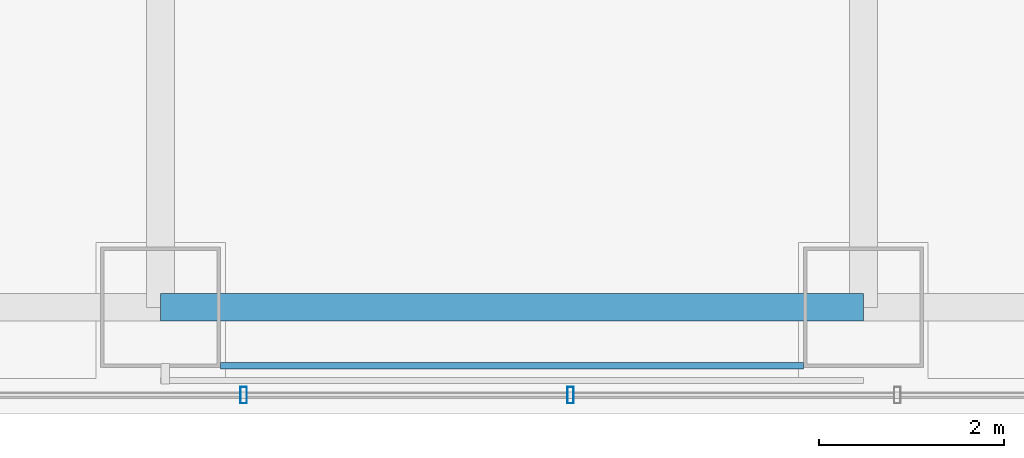
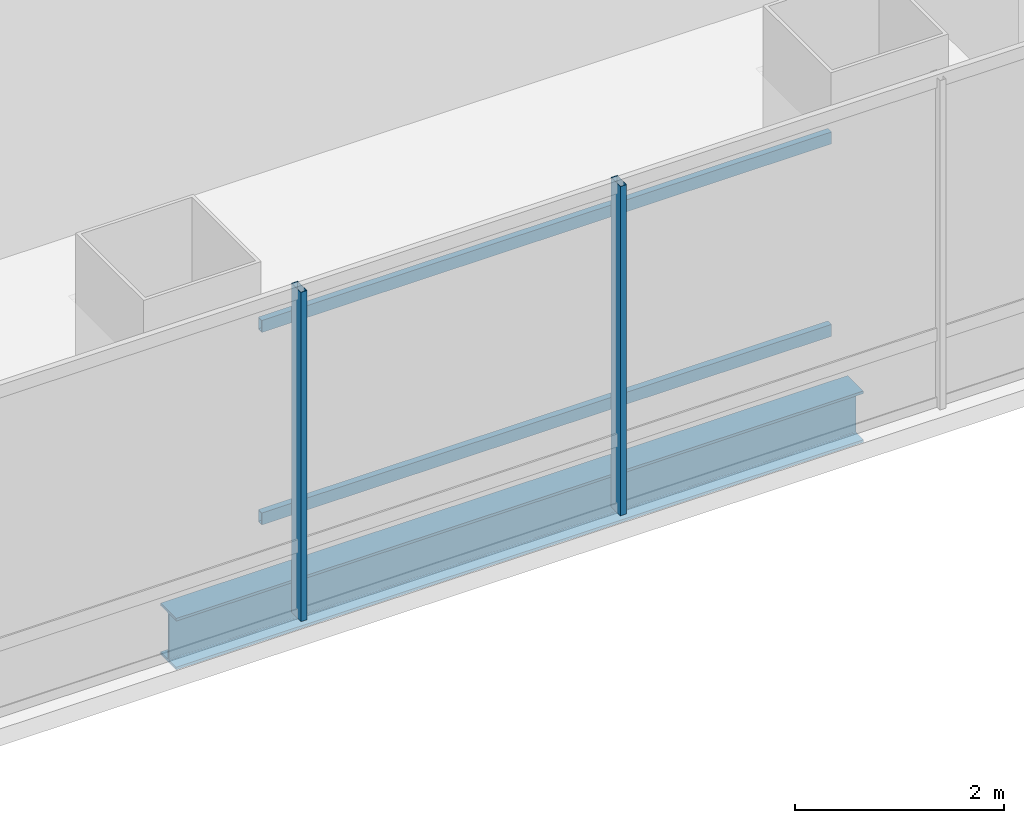
# One storey, part 6 of 42: 4 members, 1 beam, 1 element without a shape of its own.
"""IFC4 building model written with IfcOpenShell, lengths in metres."""

import ifcopenshell
import ifcopenshell.guid

model = None  # the IFC model being written
_history = None  # IfcOwnerHistory: only IFC2X3 demands one
_inside = {}  # id of a spatial element -> (the spatial element, [elements in it])
_under = {}  # id of a project, library or spatial element -> (it, [spatial elements below it])
_declared = {}  # id of a project -> (the project, [libraries it declares])
_typed = {}  # id of a type object -> (the type object, [elements of that type])
_made_of = {}  # id of a material, layer set ... -> (it, [elements and type objects made of it])


def new_model(schema):
    """Start an empty IFC model of exactly this schema.

    Asked for "IFC4X3", IfcOpenShell would pick the latest addendum, in which some entities
    have other attributes; the version numbers below select the first issue.
    IFC2X3 requires an IfcOwnerHistory on every rooted entity: one is made here for all.
    """
    global model, _history
    if schema == "IFC4X3":
        model = ifcopenshell.file(schema_version=(4, 3, 0, 0))
    else:
        model = ifcopenshell.file(schema=schema)
    _inside.clear()
    _under.clear()
    _declared.clear()
    _typed.clear()
    _made_of.clear()
    _history = None
    if model.schema == "IFC2X3":
        org = make("IfcOrganization", Name="unknown")
        user = make(
            "IfcPersonAndOrganization",
            ThePerson=make("IfcPerson", FamilyName="unknown"),
            TheOrganization=org,
        )
        app = make(
            "IfcApplication",
            ApplicationDeveloper=org,
            Version="unknown",
            ApplicationFullName="unknown",
            ApplicationIdentifier="unknown",
        )
        _history = make(
            "IfcOwnerHistory",
            OwningUser=user,
            OwningApplication=app,
            ChangeAction="ADDED",
            CreationDate=0,
        )
    return model


def make(cls, **values):
    """One entity of the class cls with the attributes given. An attribute that is None is left unset."""
    return model.create_entity(
        cls, **{name: value for name, value in values.items() if value is not None}
    )


def rooted(cls, **values):
    """An entity with a GlobalId (a new one), such as an element, a storey or a relation."""
    return make(cls, GlobalId=ifcopenshell.guid.new(), OwnerHistory=_history, **values)


def si_unit(unit_type, name, prefix=None):
    """IfcSIUnit, for example si_unit("LENGTHUNIT", "METRE", prefix="MILLI")."""
    return make("IfcSIUnit", UnitType=unit_type, Prefix=prefix, Name=name)


def assignment(units):
    """IfcUnitAssignment: the units of a project."""
    return None if units is None else make("IfcUnitAssignment", Units=units)


def point(xyz):
    """IfcCartesianPoint."""
    return None if xyz is None else make("IfcCartesianPoint", Coordinates=xyz)


def direction(xyz):
    """IfcDirection."""
    return None if xyz is None else make("IfcDirection", DirectionRatios=xyz)


def frame(location, z_axis=None, x_axis=None):
    """IfcAxis2Placement3D, a coordinate frame: its origin and axes. An axis left out is left unset."""
    return make(
        "IfcAxis2Placement3D",
        Location=point(location),
        Axis=direction(z_axis),
        RefDirection=direction(x_axis),
    )


def frame_2d(location, x_axis=None):
    """IfcAxis2Placement2D, a coordinate frame in the plane: its origin and x axis."""
    return make(
        "IfcAxis2Placement2D", Location=point(location), RefDirection=direction(x_axis)
    )


def origin():
    """The frame at (0, 0, 0) with its axes left unset."""
    return frame((0.0, 0.0, 0.0))


def origin_2d():
    """The frame at (0, 0) in the plane with its x axis left unset."""
    return frame_2d((0.0, 0.0))


def place(relative_to, where):
    """IfcLocalPlacement: puts the frame where relative to a parent placement (None: the world)."""
    return make(
        "IfcLocalPlacement", PlacementRelTo=relative_to, RelativePlacement=where
    )


def context(
    kind, dimensions, precision=None, world=None, true_north=None, identifier=None
):
    """IfcGeometricRepresentationContext, for example the 3D "Model" context."""
    return make(
        "IfcGeometricRepresentationContext",
        ContextIdentifier=identifier,
        ContextType=kind,
        CoordinateSpaceDimension=dimensions,
        Precision=precision,
        WorldCoordinateSystem=world,
        TrueNorth=true_north,
    )


def subcontext(parent, identifier, kind, view, scale=None):
    """IfcGeometricRepresentationSubContext, for example "Body" below "Model"."""
    return make(
        "IfcGeometricRepresentationSubContext",
        ContextIdentifier=identifier,
        ContextType=kind,
        ParentContext=parent,
        TargetScale=scale,
        TargetView=view,
    )


def project(units=None, contexts=None):
    """IfcProject with its units and contexts."""
    return rooted(
        "IfcProject",
        Name="project",
        RepresentationContexts=contexts,
        UnitsInContext=assignment(units),
    )


def spatial(cls, under=None, at=None, **own):
    """A site, building, storey or space (cls), placed at a placement, below another one or the project."""
    s = rooted(cls, ObjectPlacement=at, **own)
    if under is not None:
        _under.setdefault(under.id(), (under, []))[1].append(s)
    return s


def profile(cls, at=None, kind="AREA", **sizes):
    """A parametric profile (cls). Its sizes go by their IFC names, for example OverallWidth=200.0."""
    return make(cls, ProfileType=kind, Position=at, **sizes)


def hollow_rectangle(**sizes):
    """IfcRectangleHollowProfileDef."""
    return profile("IfcRectangleHollowProfileDef", **sizes)


def i_section(**sizes):
    """IfcIShapeProfileDef."""
    return profile("IfcIShapeProfileDef", **sizes)


def extrude(swept, where, along, depth):
    """IfcExtrudedAreaSolid: the profile swept, set in the frame where, extruded along a direction by depth."""
    return make(
        "IfcExtrudedAreaSolid",
        SweptArea=swept,
        Position=where,
        ExtrudedDirection=direction(along),
        Depth=depth,
    )


def shape(context_of_items, identifier, shape_type, items):
    """IfcShapeRepresentation: the items that make up one representation, for example the "Body"."""
    return make(
        "IfcShapeRepresentation",
        ContextOfItems=context_of_items,
        RepresentationIdentifier=identifier,
        RepresentationType=shape_type,
        Items=items,
    )


def material(Name=None, Category=None):
    """IfcMaterial."""
    return make("IfcMaterial", Name=Name, Category=Category)


def material_profile(
    of_material, cross_section, Name=None, Category=None, Priority=None
):
    """IfcMaterialProfile: a cross section and its material."""
    return make(
        "IfcMaterialProfile",
        Name=Name,
        Material=of_material,
        Profile=cross_section,
        Priority=Priority,
        Category=Category,
    )


def profile_set(profiles, Name=None, composite=None):
    """IfcMaterialProfileSet."""
    return make(
        "IfcMaterialProfileSet",
        Name=Name,
        MaterialProfiles=profiles,
        CompositeProfile=composite,
    )


def made_of(thing, what):
    """Note that an element or type object is made of a material, layer set ...; save() writes the relation."""
    if what is not None:
        _made_of.setdefault(what.id(), (what, []))[1].append(thing)
    return thing


def type_object(cls, material=None, **own):
    """A type object (cls), such as IfcWallType, which elements share."""
    return made_of(rooted(cls, **own), material)


def element(
    cls,
    number,
    at=None,
    inside=None,
    cuts=None,
    type_object=None,
    material=None,
    context=None,
    identifier="Body",
    shape_type=None,
    held_by="IfcProductDefinitionShape",
    body=None,
    shapes=None,
    **own,
):
    """One element of the class cls, such as IfcWall. Its Tag is "e" and its number.

    at: its placement. inside: the storey or other place that contains it. cuts: it is an
    opening in that element (IfcRelVoidsElement). A single representation is given by context,
    identifier, shape_type and body (its items); several are given by shapes. held_by: the class
    of the entity that holds the representations. save() writes the other relations.
    """
    e = rooted(cls, Tag="e%d" % number, ObjectPlacement=at, **own)
    if body is not None:
        shapes = [shape(context, identifier, shape_type, body)]
    if shapes is not None:
        e.Representation = make(held_by, Representations=shapes)
    if inside is not None:
        _inside.setdefault(inside.id(), (inside, []))[1].append(e)
    if cuts is not None:
        rooted(
            "IfcRelVoidsElement", RelatingBuildingElement=cuts, RelatedOpeningElement=e
        )
    if type_object is not None:
        _typed.setdefault(type_object.id(), (type_object, []))[1].append(e)
    return made_of(e, material)


def aggregate(whole, parts):
    """IfcRelAggregates: a whole, such as a stair, and the parts it consists of."""
    return rooted("IfcRelAggregates", RelatingObject=whole, RelatedObjects=parts)


def save(model, path):
    """Write the relations noted so far, then the file.

    IfcRelAggregates (storeys below a building ...), IfcRelContainedInSpatialStructure (elements
    in a storey), IfcRelDefinesByType, IfcRelAssociatesMaterial and IfcRelDeclares: one each for
    every whole, place, type object, material and project.
    """
    for whole, parts in _under.values():
        aggregate(whole, parts)
    for where, things in _inside.values():
        rooted(
            "IfcRelContainedInSpatialStructure",
            RelatedElements=things,
            RelatingStructure=where,
        )
    for kind, things in _typed.values():
        rooted("IfcRelDefinesByType", RelatedObjects=things, RelatingType=kind)
    for what, things in _made_of.values():
        rooted("IfcRelAssociatesMaterial", RelatedObjects=things, RelatingMaterial=what)
    for by, libraries in _declared.values():
        rooted("IfcRelDeclares", RelatingContext=by, RelatedDefinitions=libraries)
    model.write(path)


model = new_model("IFC4")

# Units and contexts
model_context = context("Model", 3, precision=1e-05, world=origin(), true_north=direction((0.0, 1.0)))
body_context = subcontext(model_context, "Body", "Model", "MODEL_VIEW")
ifc_project = project(units=[si_unit("LENGTHUNIT", "METRE"), si_unit("AREAUNIT", "SQUARE_METRE"), si_unit("VOLUMEUNIT", "CUBIC_METRE"), si_unit("PLANEANGLEUNIT", "RADIAN"), si_unit("MASSUNIT", "GRAM", prefix="KILO")], contexts=[model_context])

# Site, building, storey
site_placement = place(None, origin())
site = spatial("IfcSite", under=ifc_project, at=site_placement, CompositionType="ELEMENT")
building_placement = place(site_placement, origin())
building = spatial("IfcBuilding", under=site, at=building_placement, Name="Punatoya Terracotta Tower", CompositionType="ELEMENT")
storey_placement = place(building_placement, frame((0.0, 0.0, 259.5)))
storey = spatial("IfcBuildingStorey", under=building, at=storey_placement, Name="L61", CompositionType="ELEMENT", Elevation=259.5)

# Beam
ifc_material_1 = material(Name="Steel S355", Category="steel")
ifc_material_profile_1 = material_profile(ifc_material_1, i_section(OverallWidth=0.300048828125, OverallDepth=0.60009765625, WebThickness=0.015380859375, FlangeThickness=0.030029296875, FilletRadius=0.01806640625, at=origin_2d()))
ifc_profile_set_1 = profile_set([ifc_material_profile_1], Name="Steel S355")
beam_type = type_object("IfcBeamType", Name="BM-PRI-600", PredefinedType="BEAM", material=ifc_profile_set_1)
beam_placement = place(storey_placement, frame((-3.800048828125, -17.5, -0.5), z_axis=(1.0, 0.0, 0.0), x_axis=(0.0, 1.0, 0.0)))
element("IfcBeam", 1, at=beam_placement, inside=storey, type_object=beam_type, Name="BM-L61-RG-S2", PredefinedType="BEAM", context=body_context, shape_type="SweptSolid", body=[
    extrude(i_section(OverallWidth=0.300048828125, OverallDepth=0.60009765625, WebThickness=0.015380859375, FlangeThickness=0.030029296875, FilletRadius=0.01806640625, at=origin_2d()), origin(), (0.0, 0.0, 1.0), 7.60009765625),
])

# Curtain wall, members
ifc_material_2 = material(Name="Aluminium 6063-T6 + Double Low-E Glass", Category="aluminium")
curtain_wall_type = type_object("IfcCurtainWallType", Name="CW-M3", PredefinedType="NOTDEFINED", material=ifc_material_2)
curtain_wall_placement = place(storey_placement, origin())
curtain_wall = element("IfcCurtainWall", 2, at=curtain_wall_placement, inside=storey, type_object=curtain_wall_type, Name="L61 Curtain Wall CW-L61-S01-1", PredefinedType="NOTDEFINED")
ifc_material_3 = material(Name="Aluminium 6063-T6", Category="aluminium")
ifc_material_profile_2 = material_profile(ifc_material_3, hollow_rectangle(XDim=0.070068359375, YDim=0.179931640625, WallThickness=0.00390625, at=origin_2d()))
ifc_profile_set_2 = profile_set([ifc_material_profile_2], Name="Aluminium 6063-T6")
member_type_1 = type_object("IfcMemberType", Name="CW-MUL-M3", PredefinedType="MULLION", material=ifc_profile_set_2)
member_1_placement = place(storey_placement, frame((-2.90087890625, -18.449951171875, 0.0), z_axis=(0.0, 0.0, 1.0), x_axis=(1.0, 0.0, 0.0)))
member_1 = element("IfcMember", 3, at=member_1_placement, type_object=member_type_1, Name="CW-L61-S01-1 Mullion 04", PredefinedType="MULLION", context=body_context, shape_type="SweptSolid", body=[
    extrude(hollow_rectangle(XDim=0.070068359375, YDim=0.179931640625, WallThickness=0.00390625, at=origin_2d()), origin(), (0.0, 0.0, 1.0), 3.85009765625),
])
member_2_placement = place(storey_placement, frame((0.633056640625, -18.449951171875, 0.0), z_axis=(0.0, 0.0, 1.0), x_axis=(1.0, 0.0, 0.0)))
member_2 = element("IfcMember", 4, at=member_2_placement, type_object=member_type_1, Name="CW-L61-S01-1 Mullion 05", PredefinedType="MULLION", context=body_context, shape_type="SweptSolid", body=[
    extrude(hollow_rectangle(XDim=0.070068359375, YDim=0.179931640625, WallThickness=0.00390625, at=origin_2d()), origin(), (0.0, 0.0, 1.0), 3.85009765625),
])
aggregate(curtain_wall, [member_1, member_2])

# Members
ifc_material_profile_3 = material_profile(ifc_material_1, hollow_rectangle(XDim=0.070068359375, YDim=0.139892578125, WallThickness=0.006103515625, at=origin_2d()))
ifc_profile_set_3 = profile_set([ifc_material_profile_3], Name="Steel S355")
member_type_2 = type_object("IfcMemberType", Name="MEM-BAG-RAIL", PredefinedType="USERDEFINED", material=ifc_profile_set_3)
for number, where, z_axis, x_axis, name in (
    (5, (-3.150390625, -18.132080078125, 1.050048828125), (1.0, 0.0, 0.0), (0.0, 1.0, 0.0), "L61 Terracotta Baguette Carrier Rail BAG-L61-S-R1"),
    (6, (-3.150390625, -18.132080078125, 3.300048828125), (1.0, 0.0, 0.0), (0.0, 1.0, 0.0), "L61 Terracotta Baguette Carrier Rail BAG-L61-S-R2"),
):
    element("IfcMember", number, at=place(storey_placement, frame(where, z_axis=z_axis, x_axis=x_axis)), inside=storey, type_object=member_type_2, Name=name, ObjectType="BAGUETTE", PredefinedType="USERDEFINED", context=body_context, shape_type="SweptSolid", body=[
        extrude(hollow_rectangle(XDim=0.070068359375, YDim=0.139892578125, WallThickness=0.006103515625, at=origin_2d()), origin(), (0.0, 0.0, 1.0), 6.30078125),
    ])

save(model, "model.ifc")
